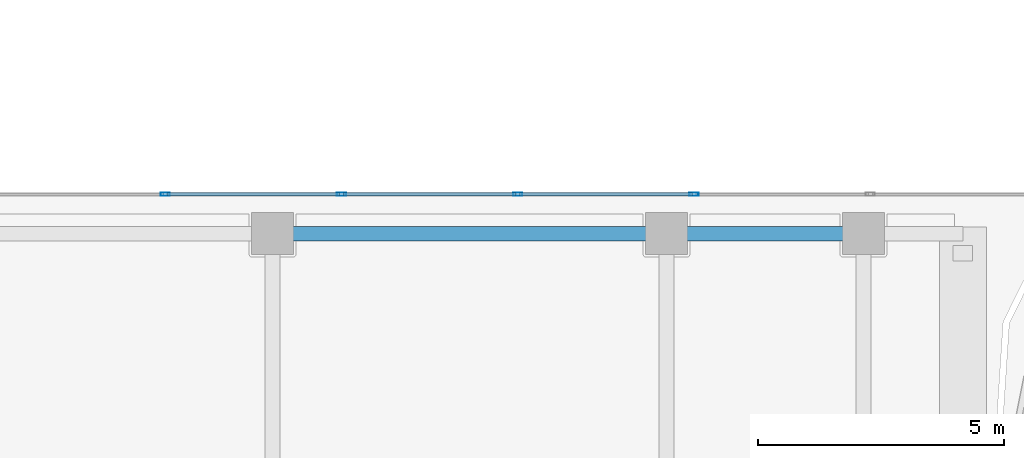
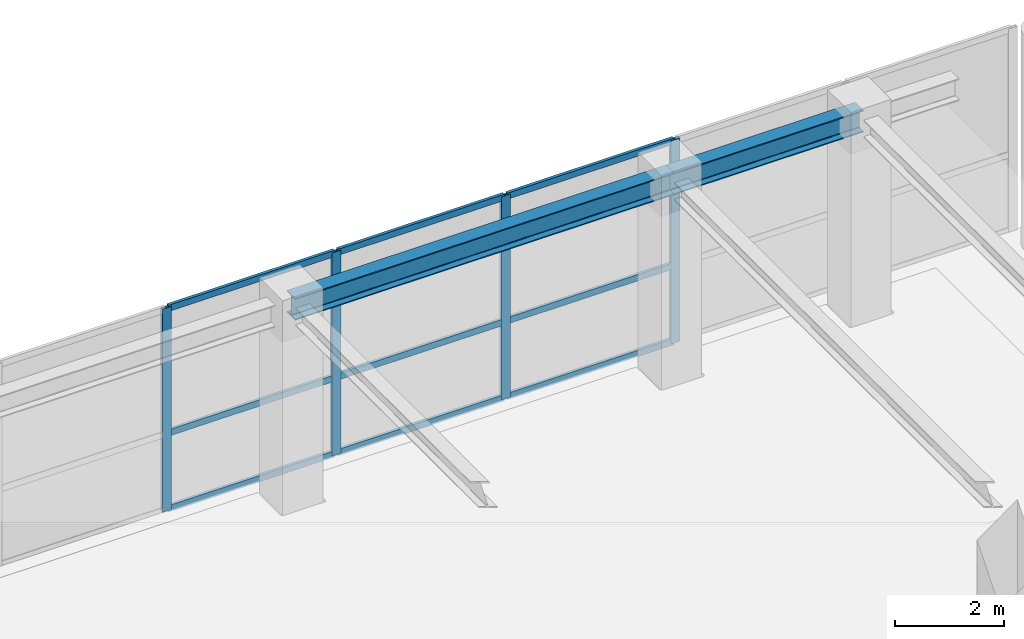
# One storey, part 25 of 48: 13 members, 2 beams, 1 element without a shape of its own.
"""IFC4 building model written with IfcOpenShell, lengths in metres."""

from ifc_helpers import new_model, si_unit, derived_unit, direction, frame, origin, origin_2d, place, context, subcontext, project, spatial, hollow_rectangle, i_section, extrude, source, transform, mapped, material, layer, layer_set, material_profile, profile_set, type_object, element, aggregate, save


model = new_model("IFC4")

# Units and contexts
model_context = context("Model", 3, precision=1e-05, world=origin(), true_north=direction((0.0, 1.0)))
body_context = subcontext(model_context, "Body", "Model", "MODEL_VIEW")
ifc_project = project(units=[si_unit("LENGTHUNIT", "METRE"), si_unit("AREAUNIT", "SQUARE_METRE"), si_unit("VOLUMEUNIT", "CUBIC_METRE"), si_unit("PLANEANGLEUNIT", "RADIAN"), si_unit("MASSUNIT", "GRAM", prefix="KILO"), derived_unit("THERMALTRANSMITTANCEUNIT", [(si_unit("POWERUNIT", "WATT"), 1), (si_unit("LENGTHUNIT", "METRE"), -2), (si_unit("THERMODYNAMICTEMPERATUREUNIT", "KELVIN"), -1)])], contexts=[model_context])

# Site, building, storey
site_placement = place(None, origin())
site = spatial("IfcSite", under=ifc_project, at=site_placement, CompositionType="ELEMENT")
building_placement = place(site_placement, origin())
building = spatial("IfcBuilding", under=site, at=building_placement, Name="Korsvarv Bourse and Concert Hall", CompositionType="ELEMENT")
storey_placement = place(building_placement, frame((0.0, 0.0, 4.800048828125)))
storey = spatial("IfcBuildingStorey", under=building, at=storey_placement, Name="L01", CompositionType="ELEMENT", Elevation=4.800048828125)

# Beams
ifc_material_1 = material(Name="Steel S355", Category="steel")
ifc_material_profile_1 = material_profile(ifc_material_1, i_section(OverallWidth=0.300048828125, OverallDepth=0.489990234375, WebThickness=0.011962890625, FlangeThickness=0.02294921875, FilletRadius=0.02392578125, at=origin_2d()), Name="HEA 500")
ifc_profile_set_1 = profile_set([ifc_material_profile_1], Name="Steel S355")
beam_type = type_object("IfcBeamType", Name="BM-HEA500", PredefinedType="BEAM", material=ifc_profile_set_1)
shared_shape_1 = source(origin(), body_context, "Body", "SweptSolid", [
    extrude(i_section(OverallWidth=0.300048828125, OverallDepth=0.489990234375, WebThickness=0.011962890625, FlangeThickness=0.02294921875, FilletRadius=0.02392578125, at=origin_2d()), origin(), (0.0, 0.0, 1.0), 8.0),
])
beam_1_placement = place(storey_placement, frame((75.5, 42.199951171875, 4.294921875), z_axis=(1.0, 0.0, 0.0), x_axis=(0.0, 1.0, 0.0)))
element("IfcBeam", 1, at=beam_1_placement, inside=storey, type_object=beam_type, Name="L01 beam B-10", PredefinedType="BEAM", context=body_context, shape_type="MappedRepresentation", body=[
    mapped(shared_shape_1, transform((0.0, 0.0, 0.0), scale=1.0)),
])
shared_shape_2 = source(origin(), body_context, "Body", "SweptSolid", [
    extrude(i_section(OverallWidth=0.300048828125, OverallDepth=0.489990234375, WebThickness=0.011962890625, FlangeThickness=0.02294921875, FilletRadius=0.02392578125, at=origin_2d()), origin(), (0.0, 0.0, 1.0), 4.0),
])
beam_2_placement = place(storey_placement, frame((83.5, 42.199951171875, 4.294921875), z_axis=(1.0, 0.0, 0.0), x_axis=(0.0, 1.0, 0.0)))
element("IfcBeam", 2, at=beam_2_placement, inside=storey, type_object=beam_type, Name="L01 beam B-10", PredefinedType="BEAM", context=body_context, shape_type="MappedRepresentation", body=[
    mapped(shared_shape_2, transform((0.0, 0.0, 0.0), scale=1.0)),
])

# Curtain wall, members
ifc_material_2 = material(Name="Anodised aluminium and triple low-E glazing", Category="glass")
ifc_layer = layer(ifc_material_2, 0.239990234375)
ifc_layer_set = layer_set([ifc_layer], Name="Anodised aluminium and triple low-E glazing")
curtain_wall_type = type_object("IfcCurtainWallType", Name="CW-SYS-5", PredefinedType="NOTDEFINED", material=ifc_layer_set)
curtain_wall_placement = place(storey_placement, origin())
curtain_wall = element("IfcCurtainWall", 3, at=curtain_wall_placement, inside=storey, type_object=curtain_wall_type, Name="L01 CW5 curtain wall CW-L01-LKN", PredefinedType="NOTDEFINED")
ifc_material_3 = material(Name="Extruded aluminium EN AW-6063 T66", Category="aluminium")
ifc_material_profile_2 = material_profile(ifc_material_3, hollow_rectangle(XDim=0.070068359375, YDim=0.18994140625, WallThickness=0.0048828125, at=origin_2d()), Name="ALU-M 70x190")
ifc_profile_set_2 = profile_set([ifc_material_profile_2], Name="Extruded aluminium EN AW-6063 T66")
member_type_1 = type_object("IfcMemberType", Name="CWM-190", PredefinedType="MULLION", material=ifc_profile_set_2)
shared_shape_3 = source(origin(), body_context, "Body", "SweptSolid", [
    extrude(hollow_rectangle(XDim=0.070068359375, YDim=0.18994140625, WallThickness=0.0048828125, at=origin_2d()), origin(), (0.0, 0.0, 1.0), 4.5400390625),
])
member_1_placement = place(storey_placement, frame((73.320068359375, 43.0, 0.0), z_axis=(0.0, 0.0, 1.0), x_axis=(0.0, 1.0, 0.0)))
member_1 = element("IfcMember", 4, at=member_1_placement, type_object=member_type_1, Name="CW5 mullion 3", PredefinedType="MULLION", context=body_context, shape_type="MappedRepresentation", body=[
    mapped(shared_shape_3, transform((0.0, 0.0, 0.0), scale=1.0)),
])
member_2_placement = place(storey_placement, frame((76.89990234375, 43.0, 0.0), z_axis=(0.0, 0.0, 1.0), x_axis=(0.0, 1.0, 0.0)))
member_2 = element("IfcMember", 5, at=member_2_placement, type_object=member_type_1, Name="CW5 mullion 4", PredefinedType="MULLION", context=body_context, shape_type="MappedRepresentation", body=[
    mapped(shared_shape_3, transform((0.0, 0.0, 0.0), scale=1.0)),
])
member_3_placement = place(storey_placement, frame((80.47998046875, 43.0, 0.0), z_axis=(0.0, 0.0, 1.0), x_axis=(0.0, 1.0, 0.0)))
member_3 = element("IfcMember", 6, at=member_3_placement, type_object=member_type_1, Name="CW5 mullion 5", PredefinedType="MULLION", context=body_context, shape_type="MappedRepresentation", body=[
    mapped(shared_shape_3, transform((0.0, 0.0, 0.0), scale=1.0)),
])
member_4_placement = place(storey_placement, frame((84.06005859375, 43.0, 0.0), z_axis=(0.0, 0.0, 1.0), x_axis=(0.0, 1.0, 0.0)))
member_4 = element("IfcMember", 7, at=member_4_placement, type_object=member_type_1, Name="CW5 mullion 6", PredefinedType="MULLION", context=body_context, shape_type="MappedRepresentation", body=[
    mapped(shared_shape_3, transform((0.0, 0.0, 0.0), scale=1.0)),
])
ifc_material_profile_3 = material_profile(ifc_material_3, hollow_rectangle(XDim=0.06494140625, YDim=0.139892578125, WallThickness=0.00390625, at=origin_2d()), Name="ALU-T 65x140")
ifc_profile_set_3 = profile_set([ifc_material_profile_3], Name="Extruded aluminium EN AW-6063 T66")
member_type_2 = type_object("IfcMemberType", Name="CWT-140", PredefinedType="USERDEFINED", material=ifc_profile_set_3)
shared_shape_4 = source(origin(), body_context, "Body", "SweptSolid", [
    extrude(hollow_rectangle(XDim=0.06494140625, YDim=0.139892578125, WallThickness=0.00390625, at=origin_2d()), origin(), (0.0, 0.0, 1.0), 3.510009765625),
])
member_5_placement = place(storey_placement, frame((73.35498046875, 43.0, 0.032470703125), z_axis=(1.0, 0.0, 0.0), x_axis=(0.0, 1.0, 0.0)))
member_5 = element("IfcMember", 8, at=member_5_placement, type_object=member_type_2, Name="CW5 transom 3.1", ObjectType="TRANSOM", PredefinedType="USERDEFINED", context=body_context, shape_type="MappedRepresentation", body=[
    mapped(shared_shape_4, transform((0.0, 0.0, 0.0), scale=1.0)),
])
member_6_placement = place(storey_placement, frame((73.35498046875, 43.0, 1.72509765625), z_axis=(1.0, 0.0, 0.0), x_axis=(0.0, 1.0, 0.0)))
member_6 = element("IfcMember", 9, at=member_6_placement, type_object=member_type_2, Name="CW5 transom 3.2", ObjectType="TRANSOM", PredefinedType="USERDEFINED", context=body_context, shape_type="MappedRepresentation", body=[
    mapped(shared_shape_4, transform((0.0, 0.0, 0.0), scale=1.0)),
])
member_7_placement = place(storey_placement, frame((73.35498046875, 43.0, 4.507568359375), z_axis=(1.0, 0.0, 0.0), x_axis=(0.0, 1.0, 0.0)))
member_7 = element("IfcMember", 10, at=member_7_placement, type_object=member_type_2, Name="CW5 transom 3.3", ObjectType="TRANSOM", PredefinedType="USERDEFINED", context=body_context, shape_type="MappedRepresentation", body=[
    mapped(shared_shape_4, transform((0.0, 0.0, 0.0), scale=1.0)),
])
member_8_placement = place(storey_placement, frame((76.93505859375, 43.0, 0.032470703125), z_axis=(1.0, 0.0, 0.0), x_axis=(0.0, 1.0, 0.0)))
member_8 = element("IfcMember", 11, at=member_8_placement, type_object=member_type_2, Name="CW5 transom 4.1", ObjectType="TRANSOM", PredefinedType="USERDEFINED", context=body_context, shape_type="MappedRepresentation", body=[
    mapped(shared_shape_4, transform((0.0, 0.0, 0.0), scale=1.0)),
])
member_9_placement = place(storey_placement, frame((76.93505859375, 43.0, 1.72509765625), z_axis=(1.0, 0.0, 0.0), x_axis=(0.0, 1.0, 0.0)))
member_9 = element("IfcMember", 12, at=member_9_placement, type_object=member_type_2, Name="CW5 transom 4.2", ObjectType="TRANSOM", PredefinedType="USERDEFINED", context=body_context, shape_type="MappedRepresentation", body=[
    mapped(shared_shape_4, transform((0.0, 0.0, 0.0), scale=1.0)),
])
member_10_placement = place(storey_placement, frame((76.93505859375, 43.0, 4.507568359375), z_axis=(1.0, 0.0, 0.0), x_axis=(0.0, 1.0, 0.0)))
member_10 = element("IfcMember", 13, at=member_10_placement, type_object=member_type_2, Name="CW5 transom 4.3", ObjectType="TRANSOM", PredefinedType="USERDEFINED", context=body_context, shape_type="MappedRepresentation", body=[
    mapped(shared_shape_4, transform((0.0, 0.0, 0.0), scale=1.0)),
])
member_11_placement = place(storey_placement, frame((80.514892578125, 43.0, 0.032470703125), z_axis=(1.0, 0.0, 0.0), x_axis=(0.0, 1.0, 0.0)))
member_11 = element("IfcMember", 14, at=member_11_placement, type_object=member_type_2, Name="CW5 transom 5.1", ObjectType="TRANSOM", PredefinedType="USERDEFINED", context=body_context, shape_type="MappedRepresentation", body=[
    mapped(shared_shape_4, transform((0.0, 0.0, 0.0), scale=1.0)),
])
member_12_placement = place(storey_placement, frame((80.514892578125, 43.0, 1.72509765625), z_axis=(1.0, 0.0, 0.0), x_axis=(0.0, 1.0, 0.0)))
member_12 = element("IfcMember", 15, at=member_12_placement, type_object=member_type_2, Name="CW5 transom 5.2", ObjectType="TRANSOM", PredefinedType="USERDEFINED", context=body_context, shape_type="MappedRepresentation", body=[
    mapped(shared_shape_4, transform((0.0, 0.0, 0.0), scale=1.0)),
])
member_13_placement = place(storey_placement, frame((80.514892578125, 43.0, 4.507568359375), z_axis=(1.0, 0.0, 0.0), x_axis=(0.0, 1.0, 0.0)))
member_13 = element("IfcMember", 16, at=member_13_placement, type_object=member_type_2, Name="CW5 transom 5.3", ObjectType="TRANSOM", PredefinedType="USERDEFINED", context=body_context, shape_type="MappedRepresentation", body=[
    mapped(shared_shape_4, transform((0.0, 0.0, 0.0), scale=1.0)),
])
aggregate(curtain_wall, [member_1, member_2, member_3, member_4, member_5, member_6, member_7, member_8, member_9, member_10, member_11, member_12, member_13])

save(model, "model.ifc")
